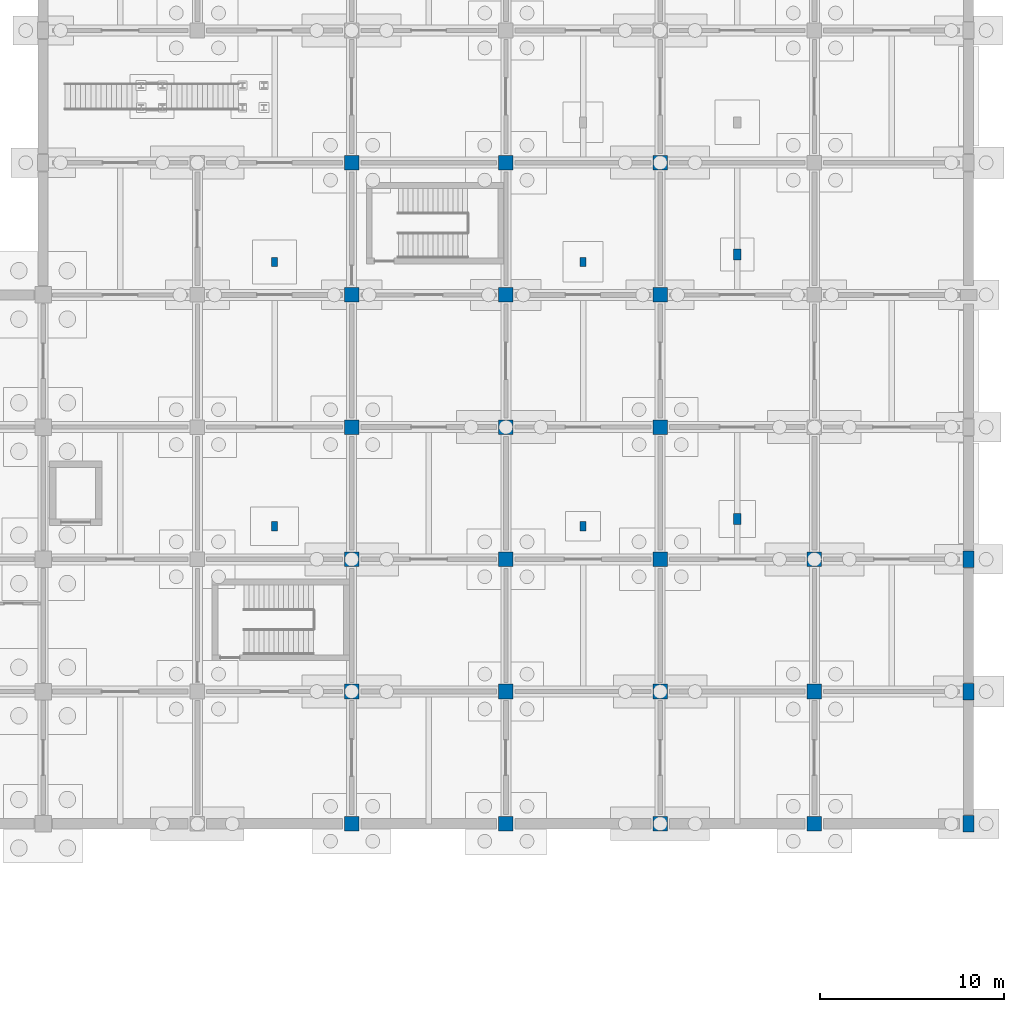
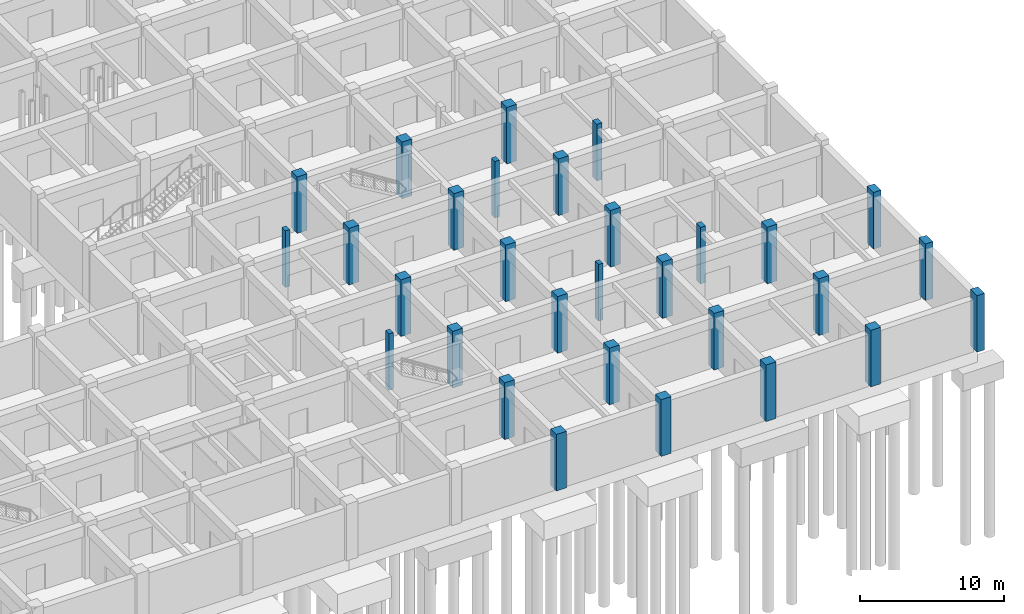
# One storey, part 13 of 38: 30 columns.
"""IFC4 building model written with IfcOpenShell, lengths in metres."""

import ifcopenshell
import ifcopenshell.guid

model = None  # the IFC model being written
_history = None  # IfcOwnerHistory: only IFC2X3 demands one
_inside = {}  # id of a spatial element -> (the spatial element, [elements in it])
_under = {}  # id of a project, library or spatial element -> (it, [spatial elements below it])
_declared = {}  # id of a project -> (the project, [libraries it declares])
_typed = {}  # id of a type object -> (the type object, [elements of that type])
_made_of = {}  # id of a material, layer set ... -> (it, [elements and type objects made of it])


def new_model(schema):
    """Start an empty IFC model of exactly this schema.

    Asked for "IFC4X3", IfcOpenShell would pick the latest addendum, in which some entities
    have other attributes; the version numbers below select the first issue.
    IFC2X3 requires an IfcOwnerHistory on every rooted entity: one is made here for all.
    """
    global model, _history
    if schema == "IFC4X3":
        model = ifcopenshell.file(schema_version=(4, 3, 0, 0))
    else:
        model = ifcopenshell.file(schema=schema)
    _inside.clear()
    _under.clear()
    _declared.clear()
    _typed.clear()
    _made_of.clear()
    _history = None
    if model.schema == "IFC2X3":
        org = make("IfcOrganization", Name="unknown")
        user = make(
            "IfcPersonAndOrganization",
            ThePerson=make("IfcPerson", FamilyName="unknown"),
            TheOrganization=org,
        )
        app = make(
            "IfcApplication",
            ApplicationDeveloper=org,
            Version="unknown",
            ApplicationFullName="unknown",
            ApplicationIdentifier="unknown",
        )
        _history = make(
            "IfcOwnerHistory",
            OwningUser=user,
            OwningApplication=app,
            ChangeAction="ADDED",
            CreationDate=0,
        )
    return model


def make(cls, **values):
    """One entity of the class cls with the attributes given. An attribute that is None is left unset."""
    return model.create_entity(
        cls, **{name: value for name, value in values.items() if value is not None}
    )


def rooted(cls, **values):
    """An entity with a GlobalId (a new one), such as an element, a storey or a relation."""
    return make(cls, GlobalId=ifcopenshell.guid.new(), OwnerHistory=_history, **values)


def si_unit(unit_type, name, prefix=None):
    """IfcSIUnit, for example si_unit("LENGTHUNIT", "METRE", prefix="MILLI")."""
    return make("IfcSIUnit", UnitType=unit_type, Prefix=prefix, Name=name)


def derived_unit(unit_type, elements):
    """IfcDerivedUnit: a product of units, each with its exponent."""
    return make(
        "IfcDerivedUnit",
        Elements=[
            make("IfcDerivedUnitElement", Unit=unit, Exponent=power)
            for unit, power in elements
        ],
        UnitType=unit_type,
    )


def assignment(units):
    """IfcUnitAssignment: the units of a project."""
    return None if units is None else make("IfcUnitAssignment", Units=units)


def point(xyz):
    """IfcCartesianPoint."""
    return None if xyz is None else make("IfcCartesianPoint", Coordinates=xyz)


def direction(xyz):
    """IfcDirection."""
    return None if xyz is None else make("IfcDirection", DirectionRatios=xyz)


def frame(location, z_axis=None, x_axis=None):
    """IfcAxis2Placement3D, a coordinate frame: its origin and axes. An axis left out is left unset."""
    return make(
        "IfcAxis2Placement3D",
        Location=point(location),
        Axis=direction(z_axis),
        RefDirection=direction(x_axis),
    )


def frame_2d(location, x_axis=None):
    """IfcAxis2Placement2D, a coordinate frame in the plane: its origin and x axis."""
    return make(
        "IfcAxis2Placement2D", Location=point(location), RefDirection=direction(x_axis)
    )


def origin():
    """The frame at (0, 0, 0) with its axes left unset."""
    return frame((0.0, 0.0, 0.0))


def origin_2d():
    """The frame at (0, 0) in the plane with its x axis left unset."""
    return frame_2d((0.0, 0.0))


def place(relative_to, where):
    """IfcLocalPlacement: puts the frame where relative to a parent placement (None: the world)."""
    return make(
        "IfcLocalPlacement", PlacementRelTo=relative_to, RelativePlacement=where
    )


def context(
    kind, dimensions, precision=None, world=None, true_north=None, identifier=None
):
    """IfcGeometricRepresentationContext, for example the 3D "Model" context."""
    return make(
        "IfcGeometricRepresentationContext",
        ContextIdentifier=identifier,
        ContextType=kind,
        CoordinateSpaceDimension=dimensions,
        Precision=precision,
        WorldCoordinateSystem=world,
        TrueNorth=true_north,
    )


def subcontext(parent, identifier, kind, view, scale=None):
    """IfcGeometricRepresentationSubContext, for example "Body" below "Model"."""
    return make(
        "IfcGeometricRepresentationSubContext",
        ContextIdentifier=identifier,
        ContextType=kind,
        ParentContext=parent,
        TargetScale=scale,
        TargetView=view,
    )


def project(units=None, contexts=None):
    """IfcProject with its units and contexts."""
    return rooted(
        "IfcProject",
        Name="project",
        RepresentationContexts=contexts,
        UnitsInContext=assignment(units),
    )


def spatial(cls, under=None, at=None, **own):
    """A site, building, storey or space (cls), placed at a placement, below another one or the project."""
    s = rooted(cls, ObjectPlacement=at, **own)
    if under is not None:
        _under.setdefault(under.id(), (under, []))[1].append(s)
    return s


def profile(cls, at=None, kind="AREA", **sizes):
    """A parametric profile (cls). Its sizes go by their IFC names, for example OverallWidth=200.0."""
    return make(cls, ProfileType=kind, Position=at, **sizes)


def rectangle(**sizes):
    """IfcRectangleProfileDef."""
    return profile("IfcRectangleProfileDef", **sizes)


def extrude(swept, where, along, depth):
    """IfcExtrudedAreaSolid: the profile swept, set in the frame where, extruded along a direction by depth."""
    return make(
        "IfcExtrudedAreaSolid",
        SweptArea=swept,
        Position=where,
        ExtrudedDirection=direction(along),
        Depth=depth,
    )


def shape(context_of_items, identifier, shape_type, items):
    """IfcShapeRepresentation: the items that make up one representation, for example the "Body"."""
    return make(
        "IfcShapeRepresentation",
        ContextOfItems=context_of_items,
        RepresentationIdentifier=identifier,
        RepresentationType=shape_type,
        Items=items,
    )


def material(Name=None, Category=None):
    """IfcMaterial."""
    return make("IfcMaterial", Name=Name, Category=Category)


def material_profile(
    of_material, cross_section, Name=None, Category=None, Priority=None
):
    """IfcMaterialProfile: a cross section and its material."""
    return make(
        "IfcMaterialProfile",
        Name=Name,
        Material=of_material,
        Profile=cross_section,
        Priority=Priority,
        Category=Category,
    )


def profile_set(profiles, Name=None, composite=None):
    """IfcMaterialProfileSet."""
    return make(
        "IfcMaterialProfileSet",
        Name=Name,
        MaterialProfiles=profiles,
        CompositeProfile=composite,
    )


def made_of(thing, what):
    """Note that an element or type object is made of a material, layer set ...; save() writes the relation."""
    if what is not None:
        _made_of.setdefault(what.id(), (what, []))[1].append(thing)
    return thing


def type_object(cls, material=None, **own):
    """A type object (cls), such as IfcWallType, which elements share."""
    return made_of(rooted(cls, **own), material)


def element(
    cls,
    number,
    at=None,
    inside=None,
    cuts=None,
    type_object=None,
    material=None,
    context=None,
    identifier="Body",
    shape_type=None,
    held_by="IfcProductDefinitionShape",
    body=None,
    shapes=None,
    **own,
):
    """One element of the class cls, such as IfcWall. Its Tag is "e" and its number.

    at: its placement. inside: the storey or other place that contains it. cuts: it is an
    opening in that element (IfcRelVoidsElement). A single representation is given by context,
    identifier, shape_type and body (its items); several are given by shapes. held_by: the class
    of the entity that holds the representations. save() writes the other relations.
    """
    e = rooted(cls, Tag="e%d" % number, ObjectPlacement=at, **own)
    if body is not None:
        shapes = [shape(context, identifier, shape_type, body)]
    if shapes is not None:
        e.Representation = make(held_by, Representations=shapes)
    if inside is not None:
        _inside.setdefault(inside.id(), (inside, []))[1].append(e)
    if cuts is not None:
        rooted(
            "IfcRelVoidsElement", RelatingBuildingElement=cuts, RelatedOpeningElement=e
        )
    if type_object is not None:
        _typed.setdefault(type_object.id(), (type_object, []))[1].append(e)
    return made_of(e, material)


def aggregate(whole, parts):
    """IfcRelAggregates: a whole, such as a stair, and the parts it consists of."""
    return rooted("IfcRelAggregates", RelatingObject=whole, RelatedObjects=parts)


def save(model, path):
    """Write the relations noted so far, then the file.

    IfcRelAggregates (storeys below a building ...), IfcRelContainedInSpatialStructure (elements
    in a storey), IfcRelDefinesByType, IfcRelAssociatesMaterial and IfcRelDeclares: one each for
    every whole, place, type object, material and project.
    """
    for whole, parts in _under.values():
        aggregate(whole, parts)
    for where, things in _inside.values():
        rooted(
            "IfcRelContainedInSpatialStructure",
            RelatedElements=things,
            RelatingStructure=where,
        )
    for kind, things in _typed.values():
        rooted("IfcRelDefinesByType", RelatedObjects=things, RelatingType=kind)
    for what, things in _made_of.values():
        rooted("IfcRelAssociatesMaterial", RelatedObjects=things, RelatingMaterial=what)
    for by, libraries in _declared.values():
        rooted("IfcRelDeclares", RelatingContext=by, RelatedDefinitions=libraries)
    model.write(path)


model = new_model("IFC4")

# Units and contexts
model_context = context("Model", 3, precision=1e-05, world=origin(), true_north=direction((0.0, 1.0)))
body_context = subcontext(model_context, "Body", "Model", "MODEL_VIEW")
ifc_project = project(units=[si_unit("LENGTHUNIT", "METRE"), si_unit("AREAUNIT", "SQUARE_METRE"), si_unit("VOLUMEUNIT", "CUBIC_METRE"), si_unit("PLANEANGLEUNIT", "RADIAN"), si_unit("MASSUNIT", "GRAM", prefix="KILO"), derived_unit("THERMALTRANSMITTANCEUNIT", [(si_unit("MASSUNIT", "GRAM", prefix="KILO"), 1), (si_unit("TIMEUNIT", "SECOND"), -3), (si_unit("THERMODYNAMICTEMPERATUREUNIT", "KELVIN"), -1)])], contexts=[model_context])

# Site, building, storey
site_placement = place(None, origin())
site = spatial("IfcSite", under=ifc_project, at=site_placement, CompositionType="ELEMENT")
building_placement = place(site_placement, origin())
building = spatial("IfcBuilding", under=site, at=building_placement, Name="Veldstrom Oceanarium and Marine Research Institute", CompositionType="ELEMENT")
storey_placement = place(building_placement, frame((0.0, 0.0, -9.60009765625)))
storey = spatial("IfcBuildingStorey", under=building, at=storey_placement, Name="B02", CompositionType="ELEMENT", Elevation=-9.60009765625)

# Columns
ifc_material_1 = material(Name="Concrete C50/60", Category="concrete")
ifc_material_profile_1 = material_profile(ifc_material_1, rectangle(XDim=0.800048828125, YDim=0.800048828125, at=origin_2d()), Name="RC-COL-800x800")
ifc_profile_set_1 = profile_set([ifc_material_profile_1], Name="Concrete C50/60")
column_type_1 = type_object("IfcColumnType", Name="STR-COL-C04", PredefinedType="COLUMN", material=ifc_profile_set_1)
for number, where, z_axis, x_axis, name in (
    (1, (134.39990234375, 43.199951171875, 0.0), (0.0, 0.0, 1.0), (1.0, 0.0, 0.0), "Column C04 17/G B02"),
    (2, (134.39990234375, 50.39990234375, 0.0), (0.0, 0.0, 1.0), (1.0, 0.0, 0.0), "Column C04 17/H B02"),
    (3, (134.39990234375, 57.60009765625, 0.0), (0.0, 0.0, 1.0), (1.0, 0.0, 0.0), "Column C04 17/J B02"),
    (4, (134.39990234375, 64.800048828125, 0.0), (0.0, 0.0, 1.0), (1.0, 0.0, 0.0), "Column C04 17/K B02"),
    (5, (134.39990234375, 72.0, 0.0), (0.0, 0.0, 1.0), (1.0, 0.0, 0.0), "Column C04 17/L B02"),
    (6, (134.39990234375, 79.199951171875, 0.0), (0.0, 0.0, 1.0), (1.0, 0.0, 0.0), "Column C04 17/M B02"),
    (7, (142.800048828125, 43.199951171875, 0.0), (0.0, 0.0, 1.0), (1.0, 0.0, 0.0), "Column C04 18/G B02"),
    (8, (142.800048828125, 50.39990234375, 0.0), (0.0, 0.0, 1.0), (1.0, 0.0, 0.0), "Column C04 18/H B02"),
    (9, (142.800048828125, 57.60009765625, 0.0), (0.0, 0.0, 1.0), (1.0, 0.0, 0.0), "Column C04 18/J B02"),
    (10, (142.800048828125, 64.800048828125, 0.0), (0.0, 0.0, 1.0), (1.0, 0.0, 0.0), "Column C04 18/K B02"),
    (11, (142.800048828125, 72.0, 0.0), (0.0, 0.0, 1.0), (1.0, 0.0, 0.0), "Column C04 18/L B02"),
    (12, (142.800048828125, 79.199951171875, 0.0), (0.0, 0.0, 1.0), (1.0, 0.0, 0.0), "Column C04 18/M B02"),
    (13, (151.199951171875, 43.199951171875, 0.0), (0.0, 0.0, 1.0), (1.0, 0.0, 0.0), "Column C04 19/G B02"),
    (14, (151.199951171875, 50.39990234375, 0.0), (0.0, 0.0, 1.0), (1.0, 0.0, 0.0), "Column C04 19/H B02"),
    (15, (151.199951171875, 57.60009765625, 0.0), (0.0, 0.0, 1.0), (1.0, 0.0, 0.0), "Column C04 19/J B02"),
    (16, (151.199951171875, 64.800048828125, 0.0), (0.0, 0.0, 1.0), (1.0, 0.0, 0.0), "Column C04 19/K B02"),
    (17, (151.199951171875, 72.0, 0.0), (0.0, 0.0, 1.0), (1.0, 0.0, 0.0), "Column C04 19/L B02"),
    (18, (151.199951171875, 79.199951171875, 0.0), (0.0, 0.0, 1.0), (1.0, 0.0, 0.0), "Column C04 19/M B02"),
    (19, (159.60009765625, 43.199951171875, 0.0), (0.0, 0.0, 1.0), (1.0, 0.0, 0.0), "Column C04 20/G B02"),
    (20, (159.60009765625, 50.39990234375, 0.0), (0.0, 0.0, 1.0), (1.0, 0.0, 0.0), "Column C04 20/H B02"),
    (21, (159.60009765625, 57.60009765625, 0.0), (0.0, 0.0, 1.0), (1.0, 0.0, 0.0), "Column C04 20/J B02"),
):
    element("IfcColumn", number, at=place(storey_placement, frame(where, z_axis=z_axis, x_axis=x_axis)), inside=storey, type_object=column_type_1, Name=name, PredefinedType="COLUMN", context=body_context, shape_type="SweptSolid", body=[
        extrude(rectangle(XDim=0.800048828125, YDim=0.800048828125, at=origin_2d()), origin(), (0.0, 0.0, 1.0), 4.800048828125),
    ])
ifc_material_2 = material(Name="Concrete C50/60", Category="concrete")
ifc_material_profile_2 = material_profile(ifc_material_2, rectangle(XDim=0.60009765625, YDim=0.89990234375, at=origin_2d()), Name="RC-COL-900x600")
ifc_profile_set_2 = profile_set([ifc_material_profile_2], Name="Concrete C50/60")
column_type_2 = type_object("IfcColumnType", Name="STR-COL-C11", PredefinedType="COLUMN", material=ifc_profile_set_2)
for number, where, z_axis, x_axis, name in (
    (22, (168.0, 43.199951171875, 0.0), (0.0, 0.0, 1.0), (1.0, 0.0, 0.0), "Column C11 21/G B02"),
    (23, (168.0, 50.39990234375, 0.0), (0.0, 0.0, 1.0), (1.0, 0.0, 0.0), "Column C11 21/H B02"),
    (24, (168.0, 57.60009765625, 0.0), (0.0, 0.0, 1.0), (1.0, 0.0, 0.0), "Column C11 21/J B02"),
):
    element("IfcColumn", number, at=place(storey_placement, frame(where, z_axis=z_axis, x_axis=x_axis)), inside=storey, type_object=column_type_2, Name=name, PredefinedType="COLUMN", context=body_context, shape_type="SweptSolid", body=[
        extrude(rectangle(XDim=0.60009765625, YDim=0.89990234375, at=origin_2d()), origin(), (0.0, 0.0, 1.0), 4.800048828125),
    ])
ifc_material_3 = material(Name="Concrete C50/60", Category="concrete")
ifc_material_profile_3 = material_profile(ifc_material_3, rectangle(XDim=0.39990234375, YDim=0.60009765625, at=origin_2d()), Name="RC-PIL-600x400")
ifc_profile_set_3 = profile_set([ifc_material_profile_3], Name="Concrete C50/60")
column_type_3 = type_object("IfcColumnType", Name="STR-PIL-PL1", PredefinedType="PILASTER", material=ifc_profile_set_3)
for number, where, z_axis, x_axis, name in (
    (25, (155.39990234375, 59.800048828125, 0.0), (0.0, 0.0, 1.0), (1.0, 0.0, 0.0), "Colonnade Pilaster 03 B02"),
    (26, (155.39990234375, 74.199951171875, 0.0), (0.0, 0.0, 1.0), (1.0, 0.0, 0.0), "Colonnade Pilaster 04 B02"),
):
    element("IfcColumn", number, at=place(storey_placement, frame(where, z_axis=z_axis, x_axis=x_axis)), inside=storey, type_object=column_type_3, Name=name, PredefinedType="PILASTER", context=body_context, shape_type="SweptSolid", body=[
        extrude(rectangle(XDim=0.39990234375, YDim=0.60009765625, at=origin_2d()), origin(), (0.0, 0.0, 1.0), 4.800048828125),
    ])
ifc_material_4 = material(Name="Concrete C50/60", Category="concrete")
ifc_material_profile_4 = material_profile(ifc_material_4, rectangle(XDim=0.35009765625, YDim=0.5, at=origin_2d()), Name="RC-PIL-500x350")
ifc_profile_set_4 = profile_set([ifc_material_profile_4], Name="Concrete C50/60")
column_type_4 = type_object("IfcColumnType", Name="STR-PIL-PL2", PredefinedType="PILASTER", material=ifc_profile_set_4)
for number, where, z_axis, x_axis, name in (
    (27, (130.199951171875, 59.39990234375, 0.0), (0.0, 0.0, 1.0), (1.0, 0.0, 0.0), "Colonnade Pilaster 05 B02"),
    (28, (147.0, 59.39990234375, 0.0), (0.0, 0.0, 1.0), (1.0, 0.0, 0.0), "Colonnade Pilaster 06 B02"),
    (29, (130.199951171875, 73.800048828125, 0.0), (0.0, 0.0, 1.0), (1.0, 0.0, 0.0), "Colonnade Pilaster 07 B02"),
    (30, (147.0, 73.800048828125, 0.0), (0.0, 0.0, 1.0), (1.0, 0.0, 0.0), "Colonnade Pilaster 08 B02"),
):
    element("IfcColumn", number, at=place(storey_placement, frame(where, z_axis=z_axis, x_axis=x_axis)), inside=storey, type_object=column_type_4, Name=name, PredefinedType="PILASTER", context=body_context, shape_type="SweptSolid", body=[
        extrude(rectangle(XDim=0.35009765625, YDim=0.5, at=origin_2d()), origin(), (0.0, 0.0, 1.0), 4.800048828125),
    ])

save(model, "model.ifc")
